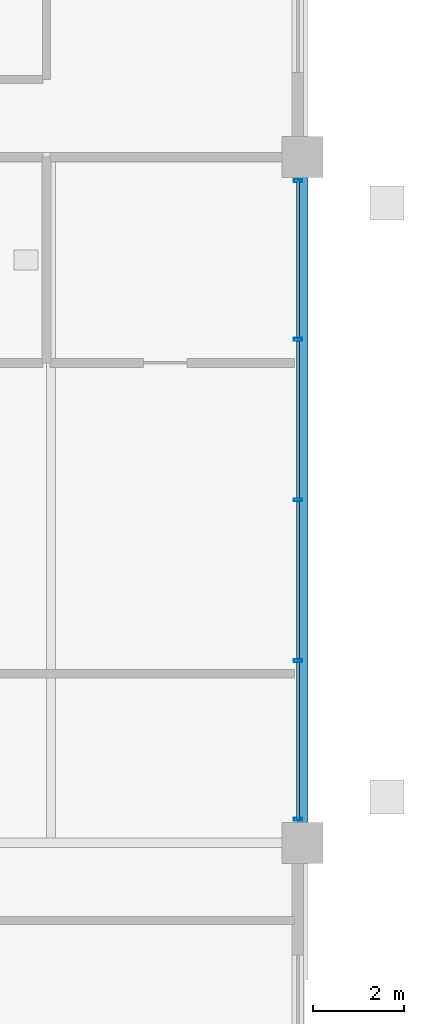
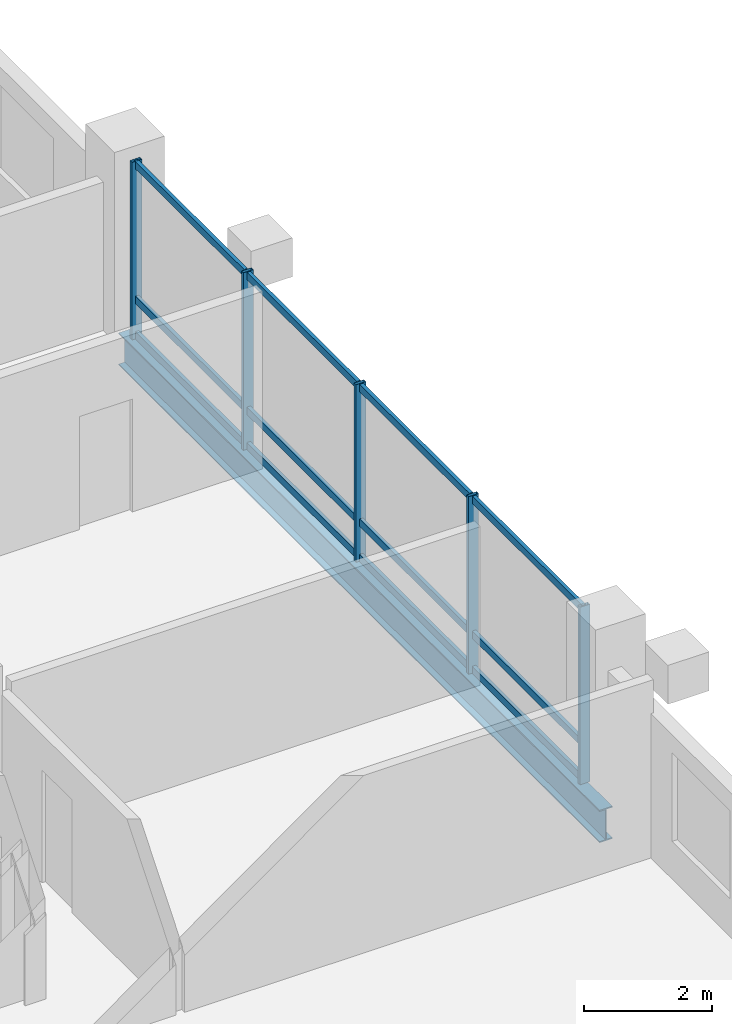
# One storey, part 10 of 21: 17 members, 1 beam, 1 element without a shape of its own.
"""IFC4 building model written with IfcOpenShell, lengths in metres."""

from ifc_helpers import new_model, si_unit, direction, frame, origin, origin_2d, place, context, subcontext, project, spatial, hollow_rectangle, i_section, extrude, material, layer, layer_set, material_profile, profile_set, type_object, element, aggregate, save


model = new_model("IFC4")

# Units and contexts
model_context = context("Model", 3, precision=1e-05, world=origin(), true_north=direction((0.0, 1.0)))
body_context = subcontext(model_context, "Body", "Model", "MODEL_VIEW")
ifc_project = project(units=[si_unit("LENGTHUNIT", "METRE"), si_unit("AREAUNIT", "SQUARE_METRE"), si_unit("VOLUMEUNIT", "CUBIC_METRE"), si_unit("PLANEANGLEUNIT", "RADIAN"), si_unit("MASSUNIT", "GRAM", prefix="KILO")], contexts=[model_context])

# Site, building, storey
site_placement = place(None, origin())
site = spatial("IfcSite", under=ifc_project, at=site_placement, CompositionType="ELEMENT")
building_placement = place(site_placement, origin())
building = spatial("IfcBuilding", under=site, at=building_placement, Name="Barlavira Tower and Art Museum", CompositionType="ELEMENT")
storey_placement = place(building_placement, frame((0.0, 0.0, 222.300048828125)))
storey = spatial("IfcBuildingStorey", under=building, at=storey_placement, Name="L57", CompositionType="ELEMENT", Elevation=222.300048828125)

# Curtain wall, members
ifc_material_1 = material(Name="Low-iron coastal laminated glass", Category="glass")
ifc_layer = layer(ifc_material_1, 0.2099609375, Name="Low-iron coastal laminated glass")
ifc_layer_set = layer_set([ifc_layer], Name="Low-iron coastal laminated glass")
curtain_wall_type = type_object("IfcCurtainWallType", Name="Pale-Metal Unitised Curtain Wall Zone 4", PredefinedType="NOTDEFINED", material=ifc_layer_set)
curtain_wall_placement = place(storey_placement, origin())
curtain_wall = element("IfcCurtainWall", 1, at=curtain_wall_placement, inside=storey, type_object=curtain_wall_type, Name="L57 Curtain Wall CW4-L57-E-B3", PredefinedType="NOTDEFINED")
ifc_material_2 = material(Name="Pale anodised aluminium", Category="aluminium")
ifc_material_profile_1 = material_profile(ifc_material_2, hollow_rectangle(XDim=0.06494140625, YDim=0.179931640625, WallThickness=0.00390625, at=origin_2d()), Name="ALU-MULL 65x180x4")
ifc_profile_set_1 = profile_set([ifc_material_profile_1], Name="Pale anodised aluminium")
member_type_1 = type_object("IfcMemberType", Name="Curtain Wall Pale-Metal Mullion 65x180", PredefinedType="MULLION", material=ifc_profile_set_1)
member_1_placement = place(storey_placement, frame((16.89990234375, -6.985107421875, 0.0), z_axis=(0.0, 0.0, 1.0), x_axis=(0.0, 1.0, 0.0)))
member_1 = element("IfcMember", 2, at=member_1_placement, type_object=member_type_1, Name="CW4-L57-E-B3 Mullion 0", PredefinedType="MULLION", context=body_context, shape_type="SweptSolid", body=[
    extrude(hollow_rectangle(XDim=0.06494140625, YDim=0.179931640625, WallThickness=0.00390625, at=origin_2d()), origin(), (0.0, 0.0, 1.0), 3.3798828125),
])
member_2_placement = place(storey_placement, frame((16.89990234375, -3.514892578125, 0.0), z_axis=(0.0, 0.0, 1.0), x_axis=(0.0, 1.0, 0.0)))
member_2 = element("IfcMember", 3, at=member_2_placement, type_object=member_type_1, Name="CW4-L57-E-B3 Mullion 1", PredefinedType="MULLION", context=body_context, shape_type="SweptSolid", body=[
    extrude(hollow_rectangle(XDim=0.06494140625, YDim=0.179931640625, WallThickness=0.00390625, at=origin_2d()), origin(), (0.0, 0.0, 1.0), 3.3798828125),
])
member_3_placement = place(storey_placement, frame((16.89990234375, 0.0, 0.0), z_axis=(0.0, 0.0, 1.0), x_axis=(0.0, 1.0, 0.0)))
member_3 = element("IfcMember", 4, at=member_3_placement, type_object=member_type_1, Name="CW4-L57-E-B3 Mullion 2", PredefinedType="MULLION", context=body_context, shape_type="SweptSolid", body=[
    extrude(hollow_rectangle(XDim=0.06494140625, YDim=0.179931640625, WallThickness=0.00390625, at=origin_2d()), origin(), (0.0, 0.0, 1.0), 3.3798828125),
])
member_4_placement = place(storey_placement, frame((16.89990234375, 3.514892578125, 0.0), z_axis=(0.0, 0.0, 1.0), x_axis=(0.0, 1.0, 0.0)))
member_4 = element("IfcMember", 5, at=member_4_placement, type_object=member_type_1, Name="CW4-L57-E-B3 Mullion 3", PredefinedType="MULLION", context=body_context, shape_type="SweptSolid", body=[
    extrude(hollow_rectangle(XDim=0.06494140625, YDim=0.179931640625, WallThickness=0.00390625, at=origin_2d()), origin(), (0.0, 0.0, 1.0), 3.3798828125),
])
member_5_placement = place(storey_placement, frame((16.89990234375, 6.985107421875, 0.0), z_axis=(0.0, 0.0, 1.0), x_axis=(0.0, 1.0, 0.0)))
member_5 = element("IfcMember", 6, at=member_5_placement, type_object=member_type_1, Name="CW4-L57-E-B3 Mullion 4", PredefinedType="MULLION", context=body_context, shape_type="SweptSolid", body=[
    extrude(hollow_rectangle(XDim=0.06494140625, YDim=0.179931640625, WallThickness=0.00390625, at=origin_2d()), origin(), (0.0, 0.0, 1.0), 3.3798828125),
])
ifc_material_profile_2 = material_profile(ifc_material_2, hollow_rectangle(XDim=0.06494140625, YDim=0.139892578125, WallThickness=0.00390625, at=origin_2d()), Name="ALU-TRAN 65x140x4")
ifc_profile_set_2 = profile_set([ifc_material_profile_2], Name="Pale anodised aluminium")
member_type_2 = type_object("IfcMemberType", Name="Curtain Wall Pale-Metal Transom 65x140", PredefinedType="USERDEFINED", material=ifc_profile_set_2)
member_6_placement = place(storey_placement, frame((16.89990234375, -6.985107421875, 0.070068359375), z_axis=(0.0, 1.0, 0.0), x_axis=(-1.0, 0.0, 0.0)))
member_6 = element("IfcMember", 7, at=member_6_placement, type_object=member_type_2, Name="CW4-L57-E-B3 Transom 0.1", ObjectType="TRANSOM", PredefinedType="USERDEFINED", context=body_context, shape_type="SweptSolid", body=[
    extrude(hollow_rectangle(XDim=0.06494140625, YDim=0.139892578125, WallThickness=0.00390625, at=origin_2d()), origin(), (0.0, 0.0, 1.0), 3.425048828125),
])
member_7_placement = place(storey_placement, frame((16.89990234375, -6.985107421875, 0.743896484375), z_axis=(0.0, 1.0, 0.0), x_axis=(-1.0, 0.0, 0.0)))
member_7 = element("IfcMember", 8, at=member_7_placement, type_object=member_type_2, Name="CW4-L57-E-B3 Transom 0.2", ObjectType="TRANSOM", PredefinedType="USERDEFINED", context=body_context, shape_type="SweptSolid", body=[
    extrude(hollow_rectangle(XDim=0.06494140625, YDim=0.139892578125, WallThickness=0.00390625, at=origin_2d()), origin(), (0.0, 0.0, 1.0), 3.425048828125),
])
member_8_placement = place(storey_placement, frame((16.89990234375, -6.985107421875, 3.31005859375), z_axis=(0.0, 1.0, 0.0), x_axis=(-1.0, 0.0, 0.0)))
member_8 = element("IfcMember", 9, at=member_8_placement, type_object=member_type_2, Name="CW4-L57-E-B3 Transom 0.3", ObjectType="TRANSOM", PredefinedType="USERDEFINED", context=body_context, shape_type="SweptSolid", body=[
    extrude(hollow_rectangle(XDim=0.06494140625, YDim=0.139892578125, WallThickness=0.00390625, at=origin_2d()), origin(), (0.0, 0.0, 1.0), 3.425048828125),
])
member_9_placement = place(storey_placement, frame((16.89990234375, -3.469970703125, 0.070068359375), z_axis=(0.0, 1.0, 0.0), x_axis=(-1.0, 0.0, 0.0)))
member_9 = element("IfcMember", 10, at=member_9_placement, type_object=member_type_2, Name="CW4-L57-E-B3 Transom 1.1", ObjectType="TRANSOM", PredefinedType="USERDEFINED", context=body_context, shape_type="SweptSolid", body=[
    extrude(hollow_rectangle(XDim=0.06494140625, YDim=0.139892578125, WallThickness=0.00390625, at=origin_2d()), origin(), (0.0, 0.0, 1.0), 3.425048828125),
])
member_10_placement = place(storey_placement, frame((16.89990234375, -3.469970703125, 0.743896484375), z_axis=(0.0, 1.0, 0.0), x_axis=(-1.0, 0.0, 0.0)))
member_10 = element("IfcMember", 11, at=member_10_placement, type_object=member_type_2, Name="CW4-L57-E-B3 Transom 1.2", ObjectType="TRANSOM", PredefinedType="USERDEFINED", context=body_context, shape_type="SweptSolid", body=[
    extrude(hollow_rectangle(XDim=0.06494140625, YDim=0.139892578125, WallThickness=0.00390625, at=origin_2d()), origin(), (0.0, 0.0, 1.0), 3.425048828125),
])
member_11_placement = place(storey_placement, frame((16.89990234375, -3.469970703125, 3.31005859375), z_axis=(0.0, 1.0, 0.0), x_axis=(-1.0, 0.0, 0.0)))
member_11 = element("IfcMember", 12, at=member_11_placement, type_object=member_type_2, Name="CW4-L57-E-B3 Transom 1.3", ObjectType="TRANSOM", PredefinedType="USERDEFINED", context=body_context, shape_type="SweptSolid", body=[
    extrude(hollow_rectangle(XDim=0.06494140625, YDim=0.139892578125, WallThickness=0.00390625, at=origin_2d()), origin(), (0.0, 0.0, 1.0), 3.425048828125),
])
member_12_placement = place(storey_placement, frame((16.89990234375, 0.044921875, 0.070068359375), z_axis=(0.0, 1.0, 0.0), x_axis=(-1.0, 0.0, 0.0)))
member_12 = element("IfcMember", 13, at=member_12_placement, type_object=member_type_2, Name="CW4-L57-E-B3 Transom 2.1", ObjectType="TRANSOM", PredefinedType="USERDEFINED", context=body_context, shape_type="SweptSolid", body=[
    extrude(hollow_rectangle(XDim=0.06494140625, YDim=0.139892578125, WallThickness=0.00390625, at=origin_2d()), origin(), (0.0, 0.0, 1.0), 3.425048828125),
])
member_13_placement = place(storey_placement, frame((16.89990234375, 0.044921875, 0.743896484375), z_axis=(0.0, 1.0, 0.0), x_axis=(-1.0, 0.0, 0.0)))
member_13 = element("IfcMember", 14, at=member_13_placement, type_object=member_type_2, Name="CW4-L57-E-B3 Transom 2.2", ObjectType="TRANSOM", PredefinedType="USERDEFINED", context=body_context, shape_type="SweptSolid", body=[
    extrude(hollow_rectangle(XDim=0.06494140625, YDim=0.139892578125, WallThickness=0.00390625, at=origin_2d()), origin(), (0.0, 0.0, 1.0), 3.425048828125),
])
member_14_placement = place(storey_placement, frame((16.89990234375, 0.044921875, 3.31005859375), z_axis=(0.0, 1.0, 0.0), x_axis=(-1.0, 0.0, 0.0)))
member_14 = element("IfcMember", 15, at=member_14_placement, type_object=member_type_2, Name="CW4-L57-E-B3 Transom 2.3", ObjectType="TRANSOM", PredefinedType="USERDEFINED", context=body_context, shape_type="SweptSolid", body=[
    extrude(hollow_rectangle(XDim=0.06494140625, YDim=0.139892578125, WallThickness=0.00390625, at=origin_2d()), origin(), (0.0, 0.0, 1.0), 3.425048828125),
])
member_15_placement = place(storey_placement, frame((16.89990234375, 3.56005859375, 0.070068359375), z_axis=(0.0, 1.0, 0.0), x_axis=(-1.0, 0.0, 0.0)))
member_15 = element("IfcMember", 16, at=member_15_placement, type_object=member_type_2, Name="CW4-L57-E-B3 Transom 3.1", ObjectType="TRANSOM", PredefinedType="USERDEFINED", context=body_context, shape_type="SweptSolid", body=[
    extrude(hollow_rectangle(XDim=0.06494140625, YDim=0.139892578125, WallThickness=0.00390625, at=origin_2d()), origin(), (0.0, 0.0, 1.0), 3.425048828125),
])
member_16_placement = place(storey_placement, frame((16.89990234375, 3.56005859375, 0.743896484375), z_axis=(0.0, 1.0, 0.0), x_axis=(-1.0, 0.0, 0.0)))
member_16 = element("IfcMember", 17, at=member_16_placement, type_object=member_type_2, Name="CW4-L57-E-B3 Transom 3.2", ObjectType="TRANSOM", PredefinedType="USERDEFINED", context=body_context, shape_type="SweptSolid", body=[
    extrude(hollow_rectangle(XDim=0.06494140625, YDim=0.139892578125, WallThickness=0.00390625, at=origin_2d()), origin(), (0.0, 0.0, 1.0), 3.425048828125),
])
member_17_placement = place(storey_placement, frame((16.89990234375, 3.56005859375, 3.31005859375), z_axis=(0.0, 1.0, 0.0), x_axis=(-1.0, 0.0, 0.0)))
member_17 = element("IfcMember", 18, at=member_17_placement, type_object=member_type_2, Name="CW4-L57-E-B3 Transom 3.3", ObjectType="TRANSOM", PredefinedType="USERDEFINED", context=body_context, shape_type="SweptSolid", body=[
    extrude(hollow_rectangle(XDim=0.06494140625, YDim=0.139892578125, WallThickness=0.00390625, at=origin_2d()), origin(), (0.0, 0.0, 1.0), 3.425048828125),
])
aggregate(curtain_wall, [member_1, member_2, member_3, member_4, member_5, member_6, member_7, member_8, member_9, member_10, member_11, member_12, member_13, member_14, member_15, member_16, member_17])

# Beam
ifc_material_3 = material(Name="Steel S355", Category="steel")
ifc_material_profile_3 = material_profile(ifc_material_3, i_section(OverallWidth=0.22998046875, OverallDepth=0.616943359375, WebThickness=0.01318359375, FlangeThickness=0.022216796875, at=origin_2d()), Name="W610x140.0")
ifc_profile_set_3 = profile_set([ifc_material_profile_3], Name="Steel S355")
beam_type = type_object("IfcBeamType", Name="Upper Shaft Spandrel Edge Beam W610x140 Steel S355", PredefinedType="SPANDREL", material=ifc_profile_set_3)
beam_placement = place(storey_placement, frame((17.0, -7.5, -0.528564453125), z_axis=(0.0, 1.0, 0.0), x_axis=(-1.0, 0.0, 0.0)))
element("IfcBeam", 19, at=beam_placement, inside=storey, type_object=beam_type, Name="L57 Spandrel 6", PredefinedType="SPANDREL", context=body_context, shape_type="SweptSolid", body=[
    extrude(i_section(OverallWidth=0.22998046875, OverallDepth=0.616943359375, WebThickness=0.01318359375, FlangeThickness=0.022216796875, at=origin_2d()), origin(), (0.0, 0.0, 1.0), 15.0),
])

save(model, "model.ifc")
